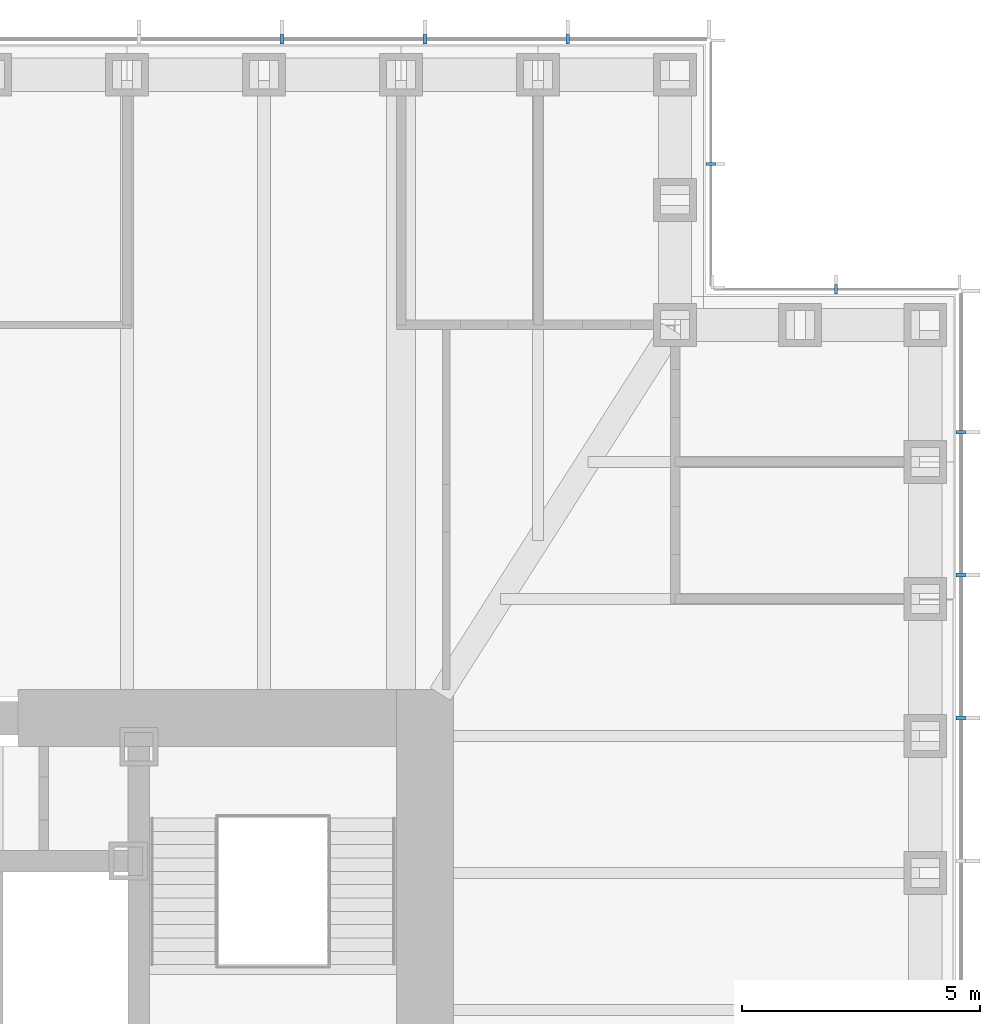
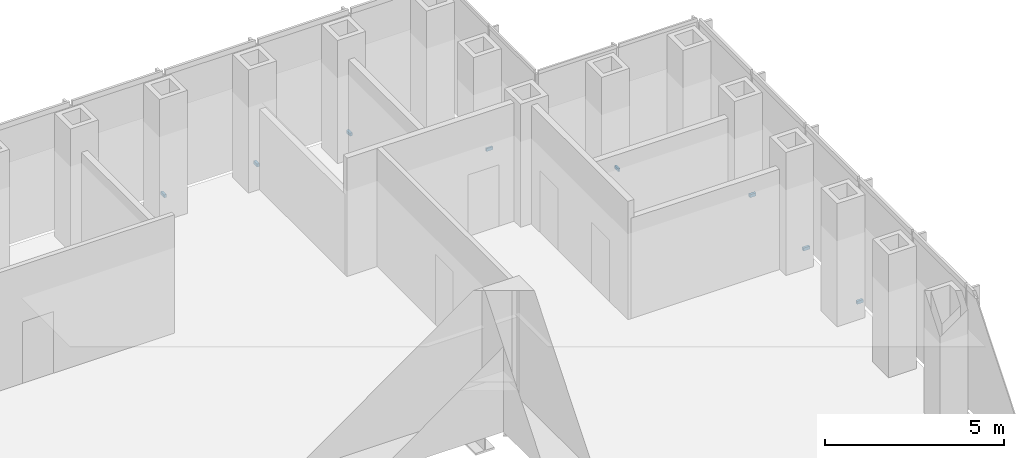
# One storey, part 16 of 17: 8 discrete accessories.
"""IFC4 building model written with IfcOpenShell, lengths in metres."""

from ifc_helpers import new_model, si_unit, direction, frame, origin, origin_2d, place, context, subcontext, project, spatial, rectangle, extrude, element, save


model = new_model("IFC4")

# Units and contexts
model_context = context("Model", 3, precision=1e-05, world=origin(), true_north=direction((0.0, 1.0)))
body_context = subcontext(model_context, "Body", "Model", "MODEL_VIEW")
ifc_project = project(units=[si_unit("LENGTHUNIT", "METRE"), si_unit("AREAUNIT", "SQUARE_METRE"), si_unit("VOLUMEUNIT", "CUBIC_METRE"), si_unit("PLANEANGLEUNIT", "RADIAN"), si_unit("MASSUNIT", "GRAM", prefix="KILO")], contexts=[model_context])

# Site, building, storey
site_placement = place(None, origin())
site = spatial("IfcSite", under=ifc_project, at=site_placement, CompositionType="ELEMENT")
building_placement = place(site_placement, origin())
building = spatial("IfcBuilding", under=site, at=building_placement, Name="Daluyong Arena Tower", CompositionType="ELEMENT")
storey_placement = place(building_placement, frame((0.0, 0.0, 124.89990234375)))
storey = spatial("IfcBuildingStorey", under=building, at=storey_placement, Name="L27", CompositionType="ELEMENT", Elevation=124.89990234375)

# Discrete accessories
for number, where, z_axis, x_axis, name in (
    (1, (79.25, 89.0, -0.099853515625), (0.0, 0.0, 1.0), (0.0, 1.0, 0.0), "curtain wall L27 E anchor bracket 10"),
    (2, (79.25, 92.0, -0.099853515625), (0.0, 0.0, 1.0), (0.0, 1.0, 0.0), "curtain wall L27 E anchor bracket 11"),
    (3, (79.25, 95.0, -0.099853515625), (0.0, 0.0, 1.0), (0.0, 1.0, 0.0), "curtain wall L27 E anchor bracket 12"),
):
    element("IfcDiscreteAccessory", number, at=place(storey_placement, frame(where, z_axis=z_axis, x_axis=x_axis)), inside=storey, Name=name, PredefinedType="BRACKET", context=body_context, shape_type="SweptSolid", body=[
        extrude(rectangle(XDim=0.080078125, YDim=0.199951171875, at=origin_2d()), origin(), (0.0, 0.0, 1.0), 0.10009765625),
    ])
for number, where, z_axis, x_axis, name in (
    (4, (76.625, 98.0, -0.099853515625), (0.0, 0.0, 1.0), (-1.0, 0.0, 0.0), "curtain wall L27 NE-N anchor bracket 2"),
    (5, (74.0, 100.625, -0.099853515625), (0.0, 0.0, 1.0), (0.0, 1.0, 0.0), "curtain wall L27 NE-E anchor bracket 2"),
):
    element("IfcDiscreteAccessory", number, at=place(storey_placement, frame(where, z_axis=z_axis, x_axis=x_axis)), inside=storey, Name=name, PredefinedType="BRACKET", context=body_context, shape_type="SweptSolid", body=[
        extrude(rectangle(XDim=0.06005859375, YDim=0.199951171875, at=origin_2d()), origin(), (0.0, 0.0, 1.0), 0.10009765625),
    ])
for number, where, z_axis, x_axis, name in (
    (6, (71.0, 103.25, -0.099853515625), (0.0, 0.0, 1.0), (-1.0, 0.0, 0.0), "curtain wall L27 N anchor bracket 2"),
    (7, (68.0, 103.25, -0.099853515625), (0.0, 0.0, 1.0), (-1.0, 0.0, 0.0), "curtain wall L27 N anchor bracket 3"),
    (8, (65.0, 103.25, -0.099853515625), (0.0, 0.0, 1.0), (-1.0, 0.0, 0.0), "curtain wall L27 N anchor bracket 4"),
):
    element("IfcDiscreteAccessory", number, at=place(storey_placement, frame(where, z_axis=z_axis, x_axis=x_axis)), inside=storey, Name=name, PredefinedType="BRACKET", context=body_context, shape_type="SweptSolid", body=[
        extrude(rectangle(XDim=0.080078125, YDim=0.199951171875, at=origin_2d()), origin(), (0.0, 0.0, 1.0), 0.10009765625),
    ])

save(model, "model.ifc")
